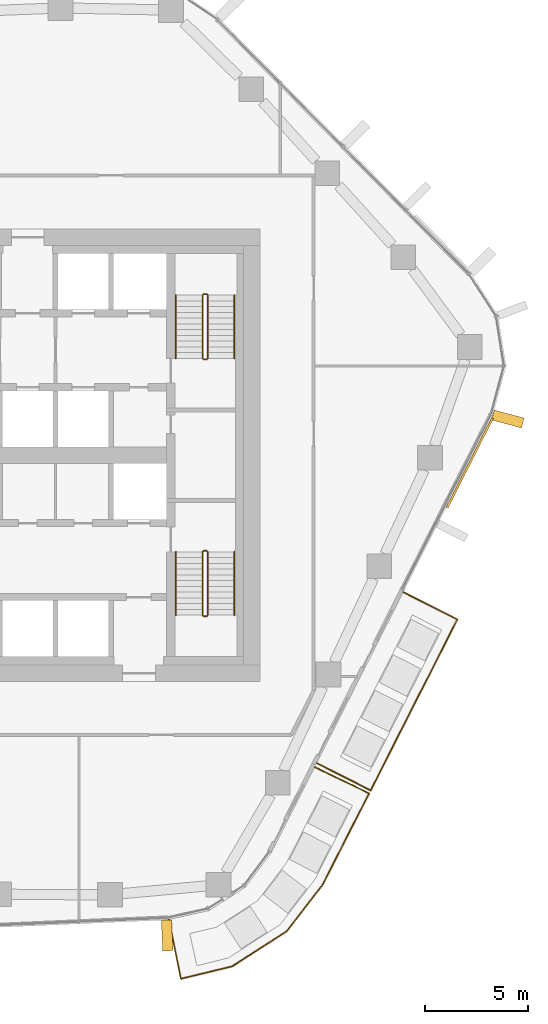
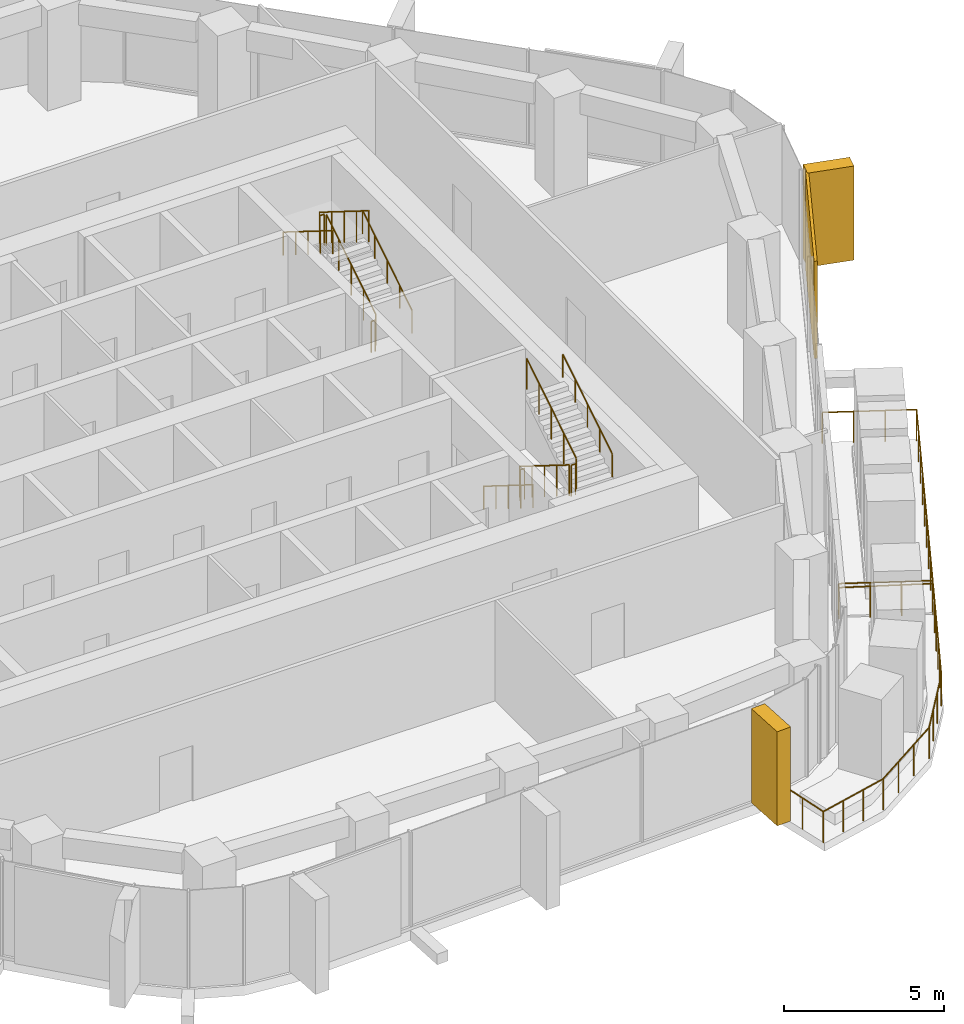
# One storey, part 16 of 17: 14 railings, 3 coverings, 3 elements without a shape of their own.
"""IFC4 building model written with IfcOpenShell, lengths in metres."""

from ifc_helpers import new_model, si_unit, direction, frame, origin, origin_2d, place, context, subcontext, project, spatial, rectangle, circle, extrude, material, layer, layer_set, material_profile, profile_set, type_object, element, aggregate, save


model = new_model("IFC4")

# Units and contexts
model_context = context("Model", 3, precision=1e-05, world=origin(), true_north=direction((0.0, 1.0)))
body_context = subcontext(model_context, "Body", "Model", "MODEL_VIEW")
ifc_project = project(units=[si_unit("LENGTHUNIT", "METRE"), si_unit("AREAUNIT", "SQUARE_METRE"), si_unit("VOLUMEUNIT", "CUBIC_METRE"), si_unit("PLANEANGLEUNIT", "RADIAN"), si_unit("MASSUNIT", "GRAM", prefix="KILO")], contexts=[model_context])

# Site, building, storey
site_placement = place(None, origin())
site = spatial("IfcSite", under=ifc_project, at=site_placement, CompositionType="ELEMENT")
building_placement = place(site_placement, origin())
building = spatial("IfcBuilding", under=site, at=building_placement, Name="Dongbaek Canopy Tower", CompositionType="ELEMENT")
storey_placement = place(building_placement, frame((0.0, 0.0, 175.39990234375)))
storey = spatial("IfcBuildingStorey", under=building, at=storey_placement, Name="L38", CompositionType="ELEMENT", Elevation=175.39990234375)

# Railings
ifc_material_1 = material(Name="Stainless steel", Category="steel")
railing_type_1 = type_object("IfcRailingType", Name="Balcony balustrade 1200", PredefinedType="BALUSTRADE", material=ifc_material_1)
railing_1_placement = place(storey_placement, frame((16.746826171875, -14.96533203125, 0.0)))
element("IfcRailing", 1, at=railing_1_placement, inside=storey, type_object=railing_type_1, Name="Balcony guard L38 1", PredefinedType="BALUSTRADE", context=body_context, shape_type="SweptSolid", body=[
    extrude(circle(Radius=0.02392578125, at=origin_2d()), frame((0.0, 0.0, 1.17578125), z_axis=(0.892005863595, -0.452023826045, 0.0), x_axis=(0.452023826045, 0.892005863595, 0.0)), (0.0, 0.0, 1.0), 2.939697265625),
    extrude(circle(Radius=0.02392578125, at=origin_2d()), frame((2.622314453125, -1.328857421875, 1.17578125), z_axis=(0.452021547481, 0.892007018253, 0.0), x_axis=(-0.892007018253, 0.452021547481, 0.0)), (0.0, 0.0, 1.0), 9.310302734375),
    extrude(circle(Radius=0.02392578125, at=origin_2d()), frame((6.830810546875, 6.97607421875, 1.17578125), z_axis=(-0.892022830295, 0.451990343074, 0.0), x_axis=(-0.451990343074, -0.892022830295, 0.0)), (0.0, 0.0, 1.0), 2.93994140625),
    extrude(circle(Radius=0.02099609375, at=origin_2d()), origin(), (0.0, 0.0, 1.0), 1.15185546875),
    extrude(circle(Radius=0.02099609375, at=origin_2d()), frame((0.8740234375, -0.44287109375, 0.0)), (0.0, 0.0, 1.0), 1.15185546875),
    extrude(circle(Radius=0.02099609375, at=origin_2d()), frame((1.748291015625, -0.885986328125, 0.0)), (0.0, 0.0, 1.0), 1.15185546875),
    extrude(circle(Radius=0.02099609375, at=origin_2d()), frame((2.622314453125, -1.328857421875, 0.0)), (0.0, 0.0, 1.0), 1.15185546875),
    extrude(circle(Radius=0.02099609375, at=origin_2d()), frame((3.1484375, -0.290771484375, 0.0)), (0.0, 0.0, 1.0), 1.15185546875),
    extrude(circle(Radius=0.02099609375, at=origin_2d()), frame((3.67431640625, 0.747314453125, 0.0)), (0.0, 0.0, 1.0), 1.15185546875),
    extrude(circle(Radius=0.02099609375, at=origin_2d()), frame((4.200439453125, 1.785400390625, 0.0)), (0.0, 0.0, 1.0), 1.15185546875),
    extrude(circle(Radius=0.02099609375, at=origin_2d()), frame((4.7265625, 2.82373046875, 0.0)), (0.0, 0.0, 1.0), 1.15185546875),
    extrude(circle(Radius=0.02099609375, at=origin_2d()), frame((5.252685546875, 3.86181640625, 0.0)), (0.0, 0.0, 1.0), 1.15185546875),
    extrude(circle(Radius=0.02099609375, at=origin_2d()), frame((5.77880859375, 4.89990234375, 0.0)), (0.0, 0.0, 1.0), 1.15185546875),
    extrude(circle(Radius=0.02099609375, at=origin_2d()), frame((6.3046875, 5.93798828125, 0.0)), (0.0, 0.0, 1.0), 1.15185546875),
    extrude(circle(Radius=0.02099609375, at=origin_2d()), frame((6.830810546875, 6.97607421875, 0.0)), (0.0, 0.0, 1.0), 1.15185546875),
    extrude(circle(Radius=0.02099609375, at=origin_2d()), frame((5.95654296875, 7.4189453125, 0.0)), (0.0, 0.0, 1.0), 1.15185546875),
    extrude(circle(Radius=0.02099609375, at=origin_2d()), frame((5.08251953125, 7.862060546875, 0.0)), (0.0, 0.0, 1.0), 1.15185546875),
    extrude(circle(Radius=0.02099609375, at=origin_2d()), frame((4.208251953125, 8.304931640625, 0.0)), (0.0, 0.0, 1.0), 1.15185546875),
])
railing_2_placement = place(storey_placement, frame((9.560302734375, -22.572021484375, 0.0)))
element("IfcRailing", 2, at=railing_2_placement, inside=storey, type_object=railing_type_1, Name="Balcony guard L38 2", PredefinedType="BALUSTRADE", context=body_context, shape_type="SweptSolid", body=[
    extrude(circle(Radius=0.02392578125, at=origin_2d()), frame((0.0, 0.0, 1.17578125), z_axis=(0.198255065581, -0.980150462415, 0.0), x_axis=(0.980150462415, 0.198255065581, 0.0)), (0.0, 0.0, 1.0), 2.940673828125),
    extrude(circle(Radius=0.02392578125, at=origin_2d()), frame((0.5830078125, -2.88232421875, 1.17578125), z_axis=(0.971865254001, 0.235537530055, 0.0), x_axis=(-0.235537530055, 0.971865254001, 0.0)), (0.0, 0.0, 1.0), 2.571533203125),
    extrude(circle(Radius=0.02392578125, at=origin_2d()), frame((3.082275390625, -2.276611328125, 1.17578125), z_axis=(0.840454454333, 0.541882192171, 0.0), x_axis=(-0.541882192171, 0.840454454333, 0.0)), (0.0, 0.0, 1.0), 3.13671875),
    extrude(circle(Radius=0.02392578125, at=origin_2d()), frame((5.718505859375, -0.576904296875, 1.17578125), z_axis=(0.610902139733, 0.791706116984, 0.0), x_axis=(-0.791706116984, 0.610902139733, 0.0)), (0.0, 0.0, 1.0), 2.880126953125),
    extrude(circle(Radius=0.02392578125, at=origin_2d()), frame((7.47802734375, 1.703369140625, 1.17578125), z_axis=(0.454052239891, 0.890975063316, 0.0), x_axis=(-0.890975063316, 0.454052239891, 0.0)), (0.0, 0.0, 1.0), 4.97412109375),
    extrude(circle(Radius=0.02392578125, at=origin_2d()), frame((9.736572265625, 6.13525390625, 1.17578125), z_axis=(-0.901050941645, 0.433713269985, 0.0), x_axis=(-0.433713269985, -0.901050941645, 0.0)), (0.0, 0.0, 1.0), 2.940673828125),
    extrude(circle(Radius=0.02099609375, at=origin_2d()), origin(), (0.0, 0.0, 1.0), 1.15185546875),
    extrude(circle(Radius=0.02099609375, at=origin_2d()), frame((0.1943359375, -0.960693359375, 0.0)), (0.0, 0.0, 1.0), 1.15185546875),
    extrude(circle(Radius=0.02099609375, at=origin_2d()), frame((0.388671875, -1.921630859375, 0.0)), (0.0, 0.0, 1.0), 1.15185546875),
    extrude(circle(Radius=0.02099609375, at=origin_2d()), frame((0.5830078125, -2.88232421875, 0.0)), (0.0, 0.0, 1.0), 1.15185546875),
    extrude(circle(Radius=0.02099609375, at=origin_2d()), frame((1.416015625, -2.680419921875, 0.0)), (0.0, 0.0, 1.0), 1.15185546875),
    extrude(circle(Radius=0.02099609375, at=origin_2d()), frame((2.249267578125, -2.478515625, 0.0)), (0.0, 0.0, 1.0), 1.15185546875),
    extrude(circle(Radius=0.02099609375, at=origin_2d()), frame((3.082275390625, -2.276611328125, 0.0)), (0.0, 0.0, 1.0), 1.15185546875),
    extrude(circle(Radius=0.02099609375, at=origin_2d()), frame((3.9609375, -1.7099609375, 0.0)), (0.0, 0.0, 1.0), 1.15185546875),
    extrude(circle(Radius=0.02099609375, at=origin_2d()), frame((4.83984375, -1.1435546875, 0.0)), (0.0, 0.0, 1.0), 1.15185546875),
    extrude(circle(Radius=0.02099609375, at=origin_2d()), frame((5.718505859375, -0.576904296875, 0.0)), (0.0, 0.0, 1.0), 1.15185546875),
    extrude(circle(Radius=0.02099609375, at=origin_2d()), frame((6.304931640625, 0.18310546875, 0.0)), (0.0, 0.0, 1.0), 1.15185546875),
    extrude(circle(Radius=0.02099609375, at=origin_2d()), frame((6.8916015625, 0.943359375, 0.0)), (0.0, 0.0, 1.0), 1.15185546875),
    extrude(circle(Radius=0.02099609375, at=origin_2d()), frame((7.47802734375, 1.703369140625, 0.0)), (0.0, 0.0, 1.0), 1.15185546875),
    extrude(circle(Radius=0.02099609375, at=origin_2d()), frame((7.9296875, 2.58984375, 0.0)), (0.0, 0.0, 1.0), 1.15185546875),
    extrude(circle(Radius=0.02099609375, at=origin_2d()), frame((8.38134765625, 3.47607421875, 0.0)), (0.0, 0.0, 1.0), 1.15185546875),
    extrude(circle(Radius=0.02099609375, at=origin_2d()), frame((8.833251953125, 4.362548828125, 0.0)), (0.0, 0.0, 1.0), 1.15185546875),
    extrude(circle(Radius=0.02099609375, at=origin_2d()), frame((9.284912109375, 5.248779296875, 0.0)), (0.0, 0.0, 1.0), 1.15185546875),
    extrude(circle(Radius=0.02099609375, at=origin_2d()), frame((9.736572265625, 6.13525390625, 0.0)), (0.0, 0.0, 1.0), 1.15185546875),
    extrude(circle(Radius=0.02099609375, at=origin_2d()), frame((8.853271484375, 6.560302734375, 0.0)), (0.0, 0.0, 1.0), 1.15185546875),
    extrude(circle(Radius=0.02099609375, at=origin_2d()), frame((7.97021484375, 6.985595703125, 0.0)), (0.0, 0.0, 1.0), 1.15185546875),
    extrude(circle(Radius=0.02099609375, at=origin_2d()), frame((7.0869140625, 7.41064453125, 0.0)), (0.0, 0.0, 1.0), 1.15185546875),
])

# Curtain wall, covering
ifc_material_2 = material(Name="Aluminium 6063-T6 pale anodised", Category="aluminium")
ifc_layer_1 = layer(ifc_material_2, 0.199951171875)
ifc_layer_set_1 = layer_set([ifc_layer_1], Name="CW-1 unitised tower curtain wall")
curtain_wall_type = type_object("IfcCurtainWallType", Name="CW-1 unitised tower curtain wall", PredefinedType="NOTDEFINED", material=ifc_layer_set_1)
curtain_wall_1_placement = place(storey_placement, origin())
curtain_wall_1 = element("IfcCurtainWall", 3, at=curtain_wall_1_placement, inside=storey, type_object=curtain_wall_type, Name="CW-1 curtain wall F5.1", PredefinedType="NOTDEFINED")
ifc_material_3 = material(Name="Perforated aluminium 6063-T6 pale metal screen", Category="aluminium")
ifc_layer_2 = layer(ifc_material_3, 0.10009765625)
ifc_layer_set_2 = layer_set([ifc_layer_2], Name="Facet screen FS1 100 pale metal")
covering_type_1 = type_object("IfcCoveringType", Name="Facet screen FS1 100 pale metal", PredefinedType="CLADDING", material=ifc_layer_set_2)
covering_1_placement = place(storey_placement, frame((24.18994140625, -0.37841796875, 0.0), z_axis=(0.0, 0.0, 1.0), x_axis=(0.452009738844, 0.892013002142, 0.0)))
covering_1 = element("IfcCovering", 4, at=covering_1_placement, type_object=covering_type_1, Name="Facet screen L38 F5", PredefinedType="CLADDING", context=body_context, shape_type="SweptSolid", body=[
    extrude(rectangle(XDim=4.899169921875, YDim=0.10009765625, at=origin_2d()), origin(), (0.0, 0.0, 1.0), 3.699951171875),
])
aggregate(curtain_wall_1, [covering_1])

curtain_wall_2_placement = place(storey_placement, origin())
curtain_wall_2 = element("IfcCurtainWall", 5, at=curtain_wall_2_placement, inside=storey, type_object=curtain_wall_type, Name="CW-1 curtain wall K0.1", PredefinedType="NOTDEFINED")
ifc_material_4 = material(Name="Aluminium 6063-T6 pale metal fin", Category="aluminium")
ifc_material_profile = material_profile(ifc_material_4, rectangle(XDim=1.5, YDim=0.5, at=origin_2d()), Name="Fin FN1 500 x 1500 pale metal")
ifc_profile_set = profile_set([ifc_material_profile], Name="Aluminium 6063-T6 pale metal fin")
covering_type_2 = type_object("IfcCoveringType", Name="Fin FN1 500 x 1500 pale metal", PredefinedType="CLADDING", material=ifc_profile_set)
covering_2_placement = place(storey_placement, frame((26.039794921875, 1.75537109375, 0.1201171875), z_axis=(0.0, 0.0, 1.0), x_axis=(0.966167065095, -0.257917045436, 0.0)))
covering_2 = element("IfcCovering", 6, at=covering_2_placement, type_object=covering_type_2, Name="Fin K0.1.1", PredefinedType="CLADDING", context=body_context, shape_type="SweptSolid", body=[
    extrude(rectangle(XDim=1.5, YDim=0.5, at=origin_2d()), origin(), (0.0, 0.0, 1.0), 3.580078125),
])
aggregate(curtain_wall_2, [covering_2])

curtain_wall_3_placement = place(storey_placement, origin())
curtain_wall_3 = element("IfcCurtainWall", 7, at=curtain_wall_3_placement, inside=storey, type_object=curtain_wall_type, Name="CW-1 curtain wall F4.1", PredefinedType="NOTDEFINED")
covering_3_placement = place(storey_placement, frame((9.476806640625, -23.345703125, 0.1201171875), z_axis=(0.0, 0.0, 1.0), x_axis=(0.043640187851, -0.999047313196, 0.0)))
covering_3 = element("IfcCovering", 8, at=covering_3_placement, type_object=covering_type_2, Name="Fin F4.1.5", PredefinedType="CLADDING", context=body_context, shape_type="SweptSolid", body=[
    extrude(rectangle(XDim=1.5, YDim=0.5, at=origin_2d()), origin(), (0.0, 0.0, 1.0), 3.580078125),
])
aggregate(curtain_wall_3, [covering_3])

# Railings
ifc_material_5 = material(Name="Stainless steel tube and balusters", Category="steel")
railing_type_2 = type_object("IfcRailingType", Name="Stair guard 1200", PredefinedType="GUARDRAIL", material=ifc_material_5)
railing_3_placement = place(storey_placement, frame((11.449951171875, 4.699951171875, 0.175048828125)))
element("IfcRailing", 9, at=railing_3_placement, inside=storey, type_object=railing_type_2, Name="L38 ST-A stair guard 1", PredefinedType="GUARDRAIL", context=body_context, shape_type="SweptSolid", body=[
    extrude(circle(Radius=0.02392578125, at=origin_2d()), frame((0.0, 0.0, 1.17578125), z_axis=(0.0, 0.847998304005, 0.529998940003), x_axis=(-1.0, 0.0, 0.0)), (0.0, 0.0, 1.0), 3.632080078125),
    extrude(circle(Radius=0.02099609375, at=origin_2d()), origin(), (0.0, 0.0, 1.0), 1.15185546875),
    extrude(circle(Radius=0.02099609375, at=origin_2d()), frame((0.0, 0.77001953125, 0.481201171875)), (0.0, 0.0, 1.0), 1.15185546875),
    extrude(circle(Radius=0.02099609375, at=origin_2d()), frame((0.0, 1.5400390625, 0.96240234375)), (0.0, 0.0, 1.0), 1.15185546875),
    extrude(circle(Radius=0.02099609375, at=origin_2d()), frame((0.0, 2.31005859375, 1.44384765625)), (0.0, 0.0, 1.0), 1.15185546875),
    extrude(circle(Radius=0.02099609375, at=origin_2d()), frame((0.0, 3.080078125, 1.925048828125)), (0.0, 0.0, 1.0), 1.15185546875),
])
railing_4_placement = place(storey_placement, frame((11.39990234375, 7.830078125, 2.10009765625)))
element("IfcRailing", 10, at=railing_4_placement, inside=storey, type_object=railing_type_2, Name="L38 ST-A stair guard 2", PredefinedType="GUARDRAIL", context=body_context, shape_type="SweptSolid", body=[
    extrude(circle(Radius=0.02392578125, at=origin_2d()), frame((0.0, 0.0, 1.17578125), z_axis=(-1.0, 0.0, 0.0), x_axis=(0.0, -1.0, 0.0)), (0.0, 0.0, 1.0), 0.14990234375),
    extrude(circle(Radius=0.02099609375, at=origin_2d()), origin(), (0.0, 0.0, 1.0), 1.15185546875),
    extrude(circle(Radius=0.02099609375, at=origin_2d()), frame((-0.14990234375, 0.0, 0.0)), (0.0, 0.0, 1.0), 1.15185546875),
])
railing_5_placement = place(storey_placement, frame((11.199951171875, 7.780029296875, 2.275146484375)))
element("IfcRailing", 11, at=railing_5_placement, inside=storey, type_object=railing_type_2, Name="L38 ST-A stair guard 3", PredefinedType="GUARDRAIL", context=body_context, shape_type="SweptSolid", body=[
    extrude(circle(Radius=0.02392578125, at=origin_2d()), frame((0.0, 0.0, 1.17578125), z_axis=(0.0, -0.847998304005, 0.529998940003), x_axis=(1.0, 0.0, 0.0)), (0.0, 0.0, 1.0), 3.632080078125),
    extrude(circle(Radius=0.02099609375, at=origin_2d()), origin(), (0.0, 0.0, 1.0), 1.15185546875),
    extrude(circle(Radius=0.02099609375, at=origin_2d()), frame((0.0, -0.77001953125, 0.481201171875)), (0.0, 0.0, 1.0), 1.15185546875),
    extrude(circle(Radius=0.02099609375, at=origin_2d()), frame((0.0, -1.5400390625, 0.96240234375)), (0.0, 0.0, 1.0), 1.15185546875),
    extrude(circle(Radius=0.02099609375, at=origin_2d()), frame((0.0, -2.31005859375, 1.44384765625)), (0.0, 0.0, 1.0), 1.15185546875),
    extrude(circle(Radius=0.02099609375, at=origin_2d()), frame((0.0, -3.080078125, 1.925048828125)), (0.0, 0.0, 1.0), 1.15185546875),
])
railing_6_placement = place(storey_placement, frame((11.39990234375, 4.64990234375, 0.0)))
element("IfcRailing", 12, at=railing_6_placement, inside=storey, type_object=railing_type_2, Name="L38 ST-A stair guard 4", PredefinedType="GUARDRAIL", context=body_context, shape_type="SweptSolid", body=[
    extrude(circle(Radius=0.02392578125, at=origin_2d()), frame((0.0, 0.0, 1.17578125), z_axis=(-1.0, 0.0, 0.0), x_axis=(0.0, -1.0, 0.0)), (0.0, 0.0, 1.0), 0.14990234375),
    extrude(circle(Radius=0.02099609375, at=origin_2d()), origin(), (0.0, 0.0, 1.0), 1.15185546875),
    extrude(circle(Radius=0.02099609375, at=origin_2d()), frame((-0.14990234375, 0.0, 0.0)), (0.0, 0.0, 1.0), 1.15185546875),
])
railing_7_placement = place(storey_placement, frame((11.199951171875, -4.699951171875, 0.175048828125)))
element("IfcRailing", 13, at=railing_7_placement, inside=storey, type_object=railing_type_2, Name="L38 ST-B stair guard 1", PredefinedType="GUARDRAIL", context=body_context, shape_type="SweptSolid", body=[
    extrude(circle(Radius=0.02392578125, at=origin_2d()), frame((0.0, 0.0, 1.17578125), z_axis=(0.0, -0.847998304005, 0.529998940003), x_axis=(1.0, 0.0, 0.0)), (0.0, 0.0, 1.0), 3.632080078125),
    extrude(circle(Radius=0.02099609375, at=origin_2d()), origin(), (0.0, 0.0, 1.0), 1.15185546875),
    extrude(circle(Radius=0.02099609375, at=origin_2d()), frame((0.0, -0.77001953125, 0.481201171875)), (0.0, 0.0, 1.0), 1.15185546875),
    extrude(circle(Radius=0.02099609375, at=origin_2d()), frame((0.0, -1.5400390625, 0.96240234375)), (0.0, 0.0, 1.0), 1.15185546875),
    extrude(circle(Radius=0.02099609375, at=origin_2d()), frame((0.0, -2.31005859375, 1.44384765625)), (0.0, 0.0, 1.0), 1.15185546875),
    extrude(circle(Radius=0.02099609375, at=origin_2d()), frame((0.0, -3.080078125, 1.925048828125)), (0.0, 0.0, 1.0), 1.15185546875),
])
railing_8_placement = place(storey_placement, frame((11.25, -7.830078125, 2.10009765625)))
element("IfcRailing", 14, at=railing_8_placement, inside=storey, type_object=railing_type_2, Name="L38 ST-B stair guard 2", PredefinedType="GUARDRAIL", context=body_context, shape_type="SweptSolid", body=[
    extrude(circle(Radius=0.02392578125, at=origin_2d()), frame((0.0, 0.0, 1.17578125), z_axis=(1.0, 0.0, 0.0), x_axis=(0.0, 1.0, 0.0)), (0.0, 0.0, 1.0), 0.14990234375),
    extrude(circle(Radius=0.02099609375, at=origin_2d()), origin(), (0.0, 0.0, 1.0), 1.15185546875),
    extrude(circle(Radius=0.02099609375, at=origin_2d()), frame((0.14990234375, 0.0, 0.0)), (0.0, 0.0, 1.0), 1.15185546875),
])
railing_9_placement = place(storey_placement, frame((11.449951171875, -7.780029296875, 2.275146484375)))
element("IfcRailing", 15, at=railing_9_placement, inside=storey, type_object=railing_type_2, Name="L38 ST-B stair guard 3", PredefinedType="GUARDRAIL", context=body_context, shape_type="SweptSolid", body=[
    extrude(circle(Radius=0.02392578125, at=origin_2d()), frame((0.0, 0.0, 1.17578125), z_axis=(0.0, 0.847998304005, 0.529998940003), x_axis=(-1.0, 0.0, 0.0)), (0.0, 0.0, 1.0), 3.632080078125),
    extrude(circle(Radius=0.02099609375, at=origin_2d()), origin(), (0.0, 0.0, 1.0), 1.15185546875),
    extrude(circle(Radius=0.02099609375, at=origin_2d()), frame((0.0, 0.77001953125, 0.481201171875)), (0.0, 0.0, 1.0), 1.15185546875),
    extrude(circle(Radius=0.02099609375, at=origin_2d()), frame((0.0, 1.5400390625, 0.96240234375)), (0.0, 0.0, 1.0), 1.15185546875),
    extrude(circle(Radius=0.02099609375, at=origin_2d()), frame((0.0, 2.31005859375, 1.44384765625)), (0.0, 0.0, 1.0), 1.15185546875),
    extrude(circle(Radius=0.02099609375, at=origin_2d()), frame((0.0, 3.080078125, 1.925048828125)), (0.0, 0.0, 1.0), 1.15185546875),
])
railing_10_placement = place(storey_placement, frame((11.25, -4.64990234375, 0.0)))
element("IfcRailing", 16, at=railing_10_placement, inside=storey, type_object=railing_type_2, Name="L38 ST-B stair guard 4", PredefinedType="GUARDRAIL", context=body_context, shape_type="SweptSolid", body=[
    extrude(circle(Radius=0.02392578125, at=origin_2d()), frame((0.0, 0.0, 1.17578125), z_axis=(1.0, 0.0, 0.0), x_axis=(0.0, 1.0, 0.0)), (0.0, 0.0, 1.0), 0.14990234375),
    extrude(circle(Radius=0.02099609375, at=origin_2d()), origin(), (0.0, 0.0, 1.0), 1.15185546875),
    extrude(circle(Radius=0.02099609375, at=origin_2d()), frame((0.14990234375, 0.0, 0.0)), (0.0, 0.0, 1.0), 1.15185546875),
])
ifc_material_6 = material(Name="Stainless steel tube", Category="steel")
railing_type_3 = type_object("IfcRailingType", Name="Stair handrail 900", PredefinedType="HANDRAIL", material=ifc_material_6)
railing_11_placement = place(storey_placement, frame((12.75, 4.699951171875, 0.175048828125)))
element("IfcRailing", 17, at=railing_11_placement, inside=storey, type_object=railing_type_3, Name="L38 ST-A stair handrail 1", PredefinedType="HANDRAIL", context=body_context, shape_type="SweptSolid", body=[
    extrude(circle(Radius=0.02392578125, at=origin_2d()), frame((0.0, 0.0, 0.8759765625), z_axis=(0.0, 0.847998304005, 0.529998940003), x_axis=(-1.0, 0.0, 0.0)), (0.0, 0.0, 1.0), 3.632080078125),
    extrude(circle(Radius=0.02099609375, at=origin_2d()), origin(), (0.0, 0.0, 1.0), 0.851806640625),
    extrude(circle(Radius=0.02099609375, at=origin_2d()), frame((0.0, 0.77001953125, 0.481201171875)), (0.0, 0.0, 1.0), 0.851806640625),
    extrude(circle(Radius=0.02099609375, at=origin_2d()), frame((0.0, 1.5400390625, 0.96240234375)), (0.0, 0.0, 1.0), 0.851806640625),
    extrude(circle(Radius=0.02099609375, at=origin_2d()), frame((0.0, 2.31005859375, 1.44384765625)), (0.0, 0.0, 1.0), 0.851806640625),
    extrude(circle(Radius=0.02099609375, at=origin_2d()), frame((0.0, 3.080078125, 1.925048828125)), (0.0, 0.0, 1.0), 0.851806640625),
])
for number, where, name in (
    (18, (9.89990234375, 7.780029296875, 2.275146484375), "L38 ST-A stair handrail 2"),
    (19, (9.89990234375, -4.699951171875, 0.175048828125), "L38 ST-B stair handrail 1"),
):
    element("IfcRailing", number, at=place(storey_placement, frame(where)), inside=storey, type_object=railing_type_3, Name=name, PredefinedType="HANDRAIL", context=body_context, shape_type="SweptSolid", body=[
        extrude(circle(Radius=0.02392578125, at=origin_2d()), frame((0.0, 0.0, 0.8759765625), z_axis=(0.0, -0.847998304005, 0.529998940003), x_axis=(1.0, 0.0, 0.0)), (0.0, 0.0, 1.0), 3.632080078125),
        extrude(circle(Radius=0.02099609375, at=origin_2d()), origin(), (0.0, 0.0, 1.0), 0.851806640625),
        extrude(circle(Radius=0.02099609375, at=origin_2d()), frame((0.0, -0.77001953125, 0.481201171875)), (0.0, 0.0, 1.0), 0.851806640625),
        extrude(circle(Radius=0.02099609375, at=origin_2d()), frame((0.0, -1.5400390625, 0.96240234375)), (0.0, 0.0, 1.0), 0.851806640625),
        extrude(circle(Radius=0.02099609375, at=origin_2d()), frame((0.0, -2.31005859375, 1.44384765625)), (0.0, 0.0, 1.0), 0.851806640625),
        extrude(circle(Radius=0.02099609375, at=origin_2d()), frame((0.0, -3.080078125, 1.925048828125)), (0.0, 0.0, 1.0), 0.851806640625),
    ])
railing_12_placement = place(storey_placement, frame((12.75, -7.780029296875, 2.275146484375)))
element("IfcRailing", 20, at=railing_12_placement, inside=storey, type_object=railing_type_3, Name="L38 ST-B stair handrail 2", PredefinedType="HANDRAIL", context=body_context, shape_type="SweptSolid", body=[
    extrude(circle(Radius=0.02392578125, at=origin_2d()), frame((0.0, 0.0, 0.8759765625), z_axis=(0.0, 0.847998304005, 0.529998940003), x_axis=(-1.0, 0.0, 0.0)), (0.0, 0.0, 1.0), 3.632080078125),
    extrude(circle(Radius=0.02099609375, at=origin_2d()), origin(), (0.0, 0.0, 1.0), 0.851806640625),
    extrude(circle(Radius=0.02099609375, at=origin_2d()), frame((0.0, 0.77001953125, 0.481201171875)), (0.0, 0.0, 1.0), 0.851806640625),
    extrude(circle(Radius=0.02099609375, at=origin_2d()), frame((0.0, 1.5400390625, 0.96240234375)), (0.0, 0.0, 1.0), 0.851806640625),
    extrude(circle(Radius=0.02099609375, at=origin_2d()), frame((0.0, 2.31005859375, 1.44384765625)), (0.0, 0.0, 1.0), 0.851806640625),
    extrude(circle(Radius=0.02099609375, at=origin_2d()), frame((0.0, 3.080078125, 1.925048828125)), (0.0, 0.0, 1.0), 0.851806640625),
])

save(model, "model.ifc")
